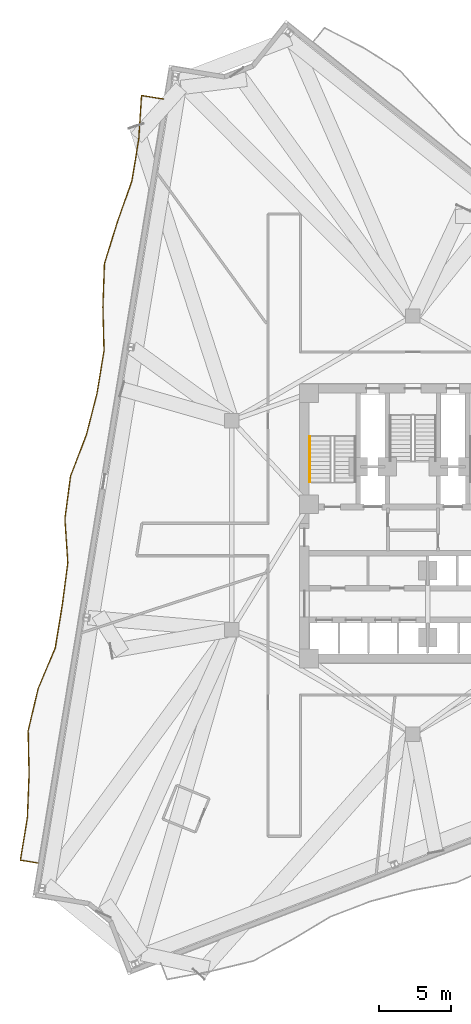
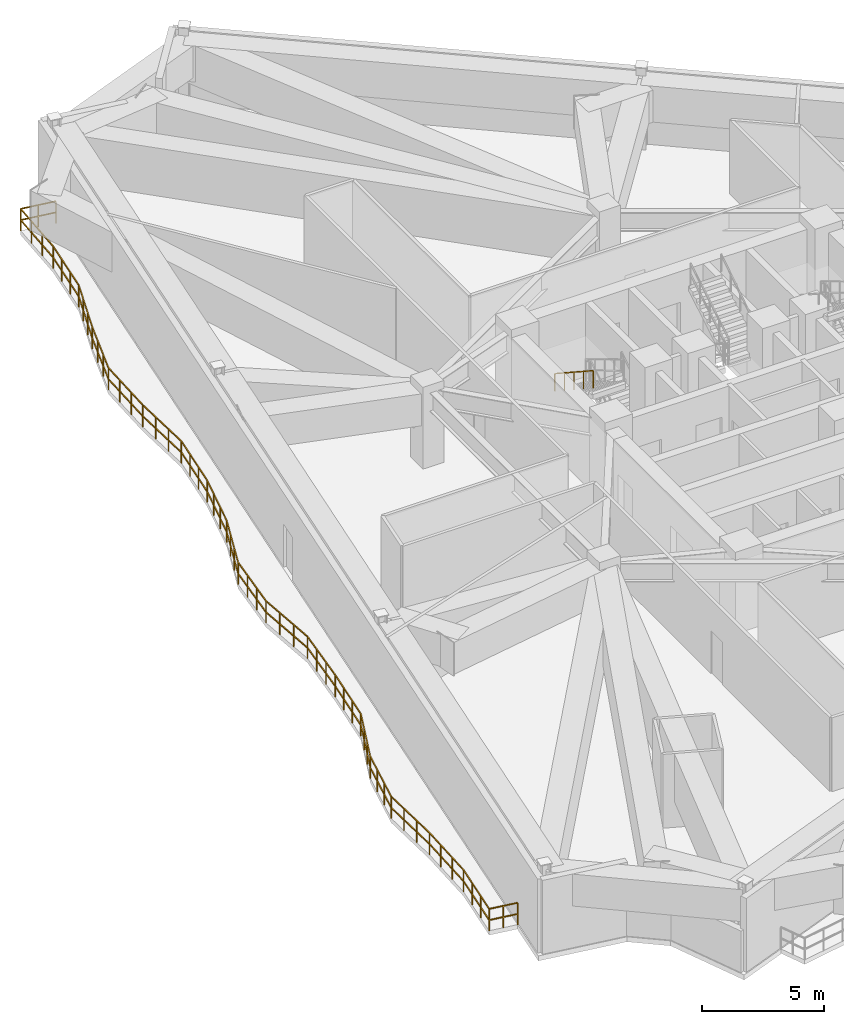
# One storey, part 12 of 14: 2 railings.
"""IFC4 building model written with IfcOpenShell, lengths in metres."""

from ifc_helpers import new_model, si_unit, direction, frame, origin, origin_2d, place, context, subcontext, project, spatial, rectangle, extrude, material, type_object, element, save


model = new_model("IFC4")

# Units and contexts
model_context = context("Model", 3, precision=1e-05, world=origin(), true_north=direction((0.0, 1.0)))
body_context = subcontext(model_context, "Body", "Model", "MODEL_VIEW")
ifc_project = project(units=[si_unit("LENGTHUNIT", "METRE"), si_unit("AREAUNIT", "SQUARE_METRE"), si_unit("VOLUMEUNIT", "CUBIC_METRE"), si_unit("PLANEANGLEUNIT", "RADIAN"), si_unit("MASSUNIT", "GRAM", prefix="KILO")], contexts=[model_context])

# Site, building, storey
site_placement = place(None, origin())
site = spatial("IfcSite", under=ifc_project, at=site_placement, CompositionType="ELEMENT")
building_placement = place(site_placement, origin())
building = spatial("IfcBuilding", under=site, at=building_placement, Name="Apsidion Concourse Tower", CompositionType="ELEMENT")
storey_placement = place(building_placement, frame((0.0, 0.0, 156.800048828125)))
storey = spatial("IfcBuildingStorey", under=building, at=storey_placement, Name="L36", CompositionType="ELEMENT", Elevation=156.800048828125)

# Railings
ifc_material = material(Name="Brushed stainless steel 316", Category="steel")
railing_type_1 = type_object("IfcRailingType", Name="RL-BAL-1120", PredefinedType="BALUSTRADE", material=ifc_material)
railing_1_placement = place(storey_placement, frame((-25.99072265625, -23.43701171875, 0.0)))
element("IfcRailing", 1, at=railing_1_placement, inside=storey, type_object=railing_type_1, Name="L36 Face 1 Rippling Balcony Balustrade", PredefinedType="BALUSTRADE", context=body_context, shape_type="SweptSolid", body=[
    extrude(rectangle(XDim=0.048095703125, YDim=0.048095703125, at=origin_2d()), frame((0.0, 0.0, 1.09619140625), z_axis=(-0.986776507438, 0.162086780363, 0.0), x_axis=(-0.162086780363, -0.986776507438, 0.0)), (0.0, 0.0, 1.0), 1.250244140625),
    extrude(rectangle(XDim=0.048095703125, YDim=0.048095703125, at=origin_2d()), frame((0.0, 0.0, 0.5361328125), z_axis=(-0.986776507438, 0.162086780363, 0.0), x_axis=(-0.162086780363, -0.986776507438, 0.0)), (0.0, 0.0, 1.0), 1.250244140625),
    extrude(rectangle(XDim=0.048095703125, YDim=0.048095703125, at=origin_2d()), frame((-1.233642578125, 0.20263671875, 1.09619140625), z_axis=(0.161982788773, 0.98679358335, 0.0), x_axis=(-0.98679358335, 0.161982788773, 0.0)), (0.0, 0.0, 1.0), 2.982666015625),
    extrude(rectangle(XDim=0.048095703125, YDim=0.048095703125, at=origin_2d()), frame((-1.233642578125, 0.20263671875, 0.5361328125), z_axis=(0.161982788773, 0.98679358335, 0.0), x_axis=(-0.98679358335, 0.161982788773, 0.0)), (0.0, 0.0, 1.0), 2.982666015625),
    extrude(rectangle(XDim=0.048095703125, YDim=0.048095703125, at=origin_2d()), frame((-0.75048828125, 3.14599609375, 1.09619140625), z_axis=(0.039474979011, 0.999220559252, 0.0), x_axis=(-0.999220559252, 0.039474979011, 0.0)), (0.0, 0.0, 1.0), 3.005859375),
    extrude(rectangle(XDim=0.048095703125, YDim=0.048095703125, at=origin_2d()), frame((-0.75048828125, 3.14599609375, 0.5361328125), z_axis=(0.039474979011, 0.999220559252, 0.0), x_axis=(-0.999220559252, 0.039474979011, 0.0)), (0.0, 0.0, 1.0), 3.005859375),
    extrude(rectangle(XDim=0.048095703125, YDim=0.048095703125, at=origin_2d()), frame((-0.6318359375, 6.1494140625, 1.09619140625), z_axis=(-0.020600907226, 0.999787778792, 0.0), x_axis=(-0.999787778792, -0.020600907226, 0.0)), (0.0, 0.0, 1.0), 3.033935546875),
    extrude(rectangle(XDim=0.048095703125, YDim=0.048095703125, at=origin_2d()), frame((-0.6318359375, 6.1494140625, 0.5361328125), z_axis=(-0.020600907226, 0.999787778792, 0.0), x_axis=(-0.999787778792, -0.020600907226, 0.0)), (0.0, 0.0, 1.0), 3.033935546875),
    extrude(rectangle(XDim=0.048095703125, YDim=0.048095703125, at=origin_2d()), frame((-0.6943359375, 9.1826171875, 1.09619140625), z_axis=(0.230240554011, 0.973133745838, 0.0), x_axis=(-0.973133745838, 0.230240554011, 0.0)), (0.0, 0.0, 1.0), 2.990234375),
    extrude(rectangle(XDim=0.048095703125, YDim=0.048095703125, at=origin_2d()), frame((-0.6943359375, 9.1826171875, 0.5361328125), z_axis=(0.230240554011, 0.973133745838, 0.0), x_axis=(-0.973133745838, 0.230240554011, 0.0)), (0.0, 0.0, 1.0), 2.990234375),
    extrude(rectangle(XDim=0.048095703125, YDim=0.048095703125, at=origin_2d()), frame((-0.005859375, 12.092529296875, 1.09619140625), z_axis=(0.387377267238, 0.921921283422, 0.0), x_axis=(-0.921921283422, 0.387377267238, 0.0)), (0.0, 0.0, 1.0), 3.0673828125),
    extrude(rectangle(XDim=0.048095703125, YDim=0.048095703125, at=origin_2d()), frame((-0.005859375, 12.092529296875, 0.5361328125), z_axis=(0.387377267238, 0.921921283422, 0.0), x_axis=(-0.921921283422, 0.387377267238, 0.0)), (0.0, 0.0, 1.0), 3.0673828125),
    extrude(rectangle(XDim=0.048095703125, YDim=0.048095703125, at=origin_2d()), frame((1.182373046875, 14.92041015625, 1.09619140625), z_axis=(0.161969706487, 0.986795730727, 0.0), x_axis=(-0.986795730727, 0.161969706487, 0.0)), (0.0, 0.0, 1.0), 2.98291015625),
    extrude(rectangle(XDim=0.048095703125, YDim=0.048095703125, at=origin_2d()), frame((1.182373046875, 14.92041015625, 0.5361328125), z_axis=(0.161969706487, 0.986795730727, 0.0), x_axis=(-0.986795730727, 0.161969706487, 0.0)), (0.0, 0.0, 1.0), 2.98291015625),
    extrude(rectangle(XDim=0.048095703125, YDim=0.048095703125, at=origin_2d()), frame((1.66552734375, 17.864013671875, 1.09619140625), z_axis=(0.130073589494, 0.99150434256, 0.0), x_axis=(-0.99150434256, 0.130073589494, 0.0)), (0.0, 0.0, 1.0), 2.984375),
    extrude(rectangle(XDim=0.048095703125, YDim=0.048095703125, at=origin_2d()), frame((1.66552734375, 17.864013671875, 0.5361328125), z_axis=(0.130073589494, 0.99150434256, 0.0), x_axis=(-0.99150434256, 0.130073589494, 0.0)), (0.0, 0.0, 1.0), 2.984375),
    extrude(rectangle(XDim=0.048095703125, YDim=0.048095703125, at=origin_2d()), frame((2.0537109375, 20.822998046875, 1.09619140625), z_axis=(-0.065529537257, 0.997850629978, 0.0), x_axis=(-0.997850629978, -0.065529537257, 0.0)), (0.0, 0.0, 1.0), 3.0625),
    extrude(rectangle(XDim=0.048095703125, YDim=0.048095703125, at=origin_2d()), frame((2.0537109375, 20.822998046875, 0.5361328125), z_axis=(-0.065529537257, 0.997850629978, 0.0), x_axis=(-0.997850629978, -0.065529537257, 0.0)), (0.0, 0.0, 1.0), 3.0625),
    extrude(rectangle(XDim=0.048095703125, YDim=0.048095703125, at=origin_2d()), frame((1.85302734375, 23.87890625, 1.09619140625), z_axis=(0.13039526166, 0.991462089914, 0.0), x_axis=(-0.991462089914, 0.13039526166, 0.0)), (0.0, 0.0, 1.0), 2.984375),
    extrude(rectangle(XDim=0.048095703125, YDim=0.048095703125, at=origin_2d()), frame((1.85302734375, 23.87890625, 0.5361328125), z_axis=(0.13039526166, 0.991462089914, 0.0), x_axis=(-0.991462089914, 0.13039526166, 0.0)), (0.0, 0.0, 1.0), 2.984375),
    extrude(rectangle(XDim=0.048095703125, YDim=0.048095703125, at=origin_2d()), frame((2.2421875, 26.837890625, 1.09619140625), z_axis=(0.35917239091, 0.933271232605, 0.0), x_axis=(-0.933271232605, 0.35917239091, 0.0)), (0.0, 0.0, 1.0), 3.046630859375),
    extrude(rectangle(XDim=0.048095703125, YDim=0.048095703125, at=origin_2d()), frame((2.2421875, 26.837890625, 0.5361328125), z_axis=(0.35917239091, 0.933271232605, 0.0), x_axis=(-0.933271232605, 0.35917239091, 0.0)), (0.0, 0.0, 1.0), 3.046630859375),
    extrude(rectangle(XDim=0.048095703125, YDim=0.048095703125, at=origin_2d()), frame((3.33642578125, 29.68115234375, 1.09619140625), z_axis=(0.24872642062, 0.968573780197, 0.0), x_axis=(-0.968573780197, 0.24872642062, 0.0)), (0.0, 0.0, 1.0), 2.99462890625),
    extrude(rectangle(XDim=0.048095703125, YDim=0.048095703125, at=origin_2d()), frame((3.33642578125, 29.68115234375, 0.5361328125), z_axis=(0.24872642062, 0.968573780197, 0.0), x_axis=(-0.968573780197, 0.24872642062, 0.0)), (0.0, 0.0, 1.0), 2.99462890625),
    extrude(rectangle(XDim=0.048095703125, YDim=0.048095703125, at=origin_2d()), frame((4.081298828125, 32.581787109375, 1.09619140625), z_axis=(0.161969706487, 0.986795730727, 0.0), x_axis=(-0.986795730727, 0.161969706487, 0.0)), (0.0, 0.0, 1.0), 2.98291015625),
    extrude(rectangle(XDim=0.048095703125, YDim=0.048095703125, at=origin_2d()), frame((4.081298828125, 32.581787109375, 0.5361328125), z_axis=(0.161969706487, 0.986795730727, 0.0), x_axis=(-0.986795730727, 0.161969706487, 0.0)), (0.0, 0.0, 1.0), 2.98291015625),
    extrude(rectangle(XDim=0.048095703125, YDim=0.048095703125, at=origin_2d()), frame((4.564453125, 35.525390625, 1.09619140625), z_axis=(-0.025727366808, 0.999668996517, 0.0), x_axis=(-0.999668996517, -0.025727366808, 0.0)), (0.0, 0.0, 1.0), 3.03662109375),
    extrude(rectangle(XDim=0.048095703125, YDim=0.048095703125, at=origin_2d()), frame((4.564453125, 35.525390625, 0.5361328125), z_axis=(-0.025727366808, 0.999668996517, 0.0), x_axis=(-0.999668996517, -0.025727366808, 0.0)), (0.0, 0.0, 1.0), 3.03662109375),
    extrude(rectangle(XDim=0.048095703125, YDim=0.048095703125, at=origin_2d()), frame((4.486328125, 38.56103515625, 1.09619140625), z_axis=(0.035639407772, 0.999364714513, 0.0), x_axis=(-0.999364714513, 0.035639407772, 0.0)), (0.0, 0.0, 1.0), 3.00732421875),
    extrude(rectangle(XDim=0.048095703125, YDim=0.048095703125, at=origin_2d()), frame((4.486328125, 38.56103515625, 0.5361328125), z_axis=(0.035639407772, 0.999364714513, 0.0), x_axis=(-0.999364714513, 0.035639407772, 0.0)), (0.0, 0.0, 1.0), 3.00732421875),
    extrude(rectangle(XDim=0.048095703125, YDim=0.048095703125, at=origin_2d()), frame((4.593505859375, 41.56640625, 1.09619140625), z_axis=(0.295845791638, 0.955235713094, 0.0), x_axis=(-0.955235713094, 0.295845791638, 0.0)), (0.0, 0.0, 1.0), 3.01123046875),
    extrude(rectangle(XDim=0.048095703125, YDim=0.048095703125, at=origin_2d()), frame((4.593505859375, 41.56640625, 0.5361328125), z_axis=(0.295845791638, 0.955235713094, 0.0), x_axis=(-0.955235713094, 0.295845791638, 0.0)), (0.0, 0.0, 1.0), 3.01123046875),
    extrude(rectangle(XDim=0.048095703125, YDim=0.048095703125, at=origin_2d()), frame((5.484375, 44.44287109375, 1.09619140625), z_axis=(0.33412596554, 0.94252842883, 0.0), x_axis=(-0.94252842883, 0.33412596554, 0.0)), (0.0, 0.0, 1.0), 3.03076171875),
    extrude(rectangle(XDim=0.048095703125, YDim=0.048095703125, at=origin_2d()), frame((5.484375, 44.44287109375, 0.5361328125), z_axis=(0.33412596554, 0.94252842883, 0.0), x_axis=(-0.94252842883, 0.33412596554, 0.0)), (0.0, 0.0, 1.0), 3.03076171875),
    extrude(rectangle(XDim=0.048095703125, YDim=0.048095703125, at=origin_2d()), frame((6.4970703125, 47.299560546875, 1.09619140625), z_axis=(0.161969706487, 0.986795730727, 0.0), x_axis=(-0.986795730727, 0.161969706487, 0.0)), (0.0, 0.0, 1.0), 2.98291015625),
    extrude(rectangle(XDim=0.048095703125, YDim=0.048095703125, at=origin_2d()), frame((6.4970703125, 47.299560546875, 0.5361328125), z_axis=(0.161969706487, 0.986795730727, 0.0), x_axis=(-0.986795730727, 0.161969706487, 0.0)), (0.0, 0.0, 1.0), 2.98291015625),
    extrude(rectangle(XDim=0.048095703125, YDim=0.048095703125, at=origin_2d()), frame((6.980224609375, 50.2431640625, 1.09619140625), z_axis=(0.062459402468, 0.998047505404, 0.0), x_axis=(-0.998047505404, 0.062459402468, 0.0)), (0.0, 0.0, 1.0), 2.998046875),
    extrude(rectangle(XDim=0.048095703125, YDim=0.048095703125, at=origin_2d()), frame((6.980224609375, 50.2431640625, 0.5361328125), z_axis=(0.062459402468, 0.998047505404, 0.0), x_axis=(-0.998047505404, 0.062459402468, 0.0)), (0.0, 0.0, 1.0), 2.998046875),
    extrude(rectangle(XDim=0.048095703125, YDim=0.048095703125, at=origin_2d()), frame((7.16748046875, 53.2353515625, 1.09619140625), z_axis=(0.986778566403, -0.162074244985, 0.0), x_axis=(0.162074244985, 0.986778566403, 0.0)), (0.0, 0.0, 1.0), 1.550048828125),
    extrude(rectangle(XDim=0.048095703125, YDim=0.048095703125, at=origin_2d()), frame((7.16748046875, 53.2353515625, 0.5361328125), z_axis=(0.986778566403, -0.162074244985, 0.0), x_axis=(0.162074244985, 0.986778566403, 0.0)), (0.0, 0.0, 1.0), 1.550048828125),
    extrude(rectangle(XDim=0.0419921875, YDim=0.0419921875, at=origin_2d()), origin(), (0.0, 0.0, 1.0), 1.072021484375),
    extrude(rectangle(XDim=0.0419921875, YDim=0.0419921875, at=origin_2d()), frame((-0.61669921875, 0.101318359375, 0.0)), (0.0, 0.0, 1.0), 1.072021484375),
    extrude(rectangle(XDim=0.0419921875, YDim=0.0419921875, at=origin_2d()), frame((-1.233642578125, 0.20263671875, 0.0)), (0.0, 0.0, 1.0), 1.072021484375),
    extrude(rectangle(XDim=0.0419921875, YDim=0.0419921875, at=origin_2d()), frame((-1.072509765625, 1.183837890625, 0.0)), (0.0, 0.0, 1.0), 1.072021484375),
    extrude(rectangle(XDim=0.0419921875, YDim=0.0419921875, at=origin_2d()), frame((-0.91162109375, 2.164794921875, 0.0)), (0.0, 0.0, 1.0), 1.072021484375),
    extrude(rectangle(XDim=0.0419921875, YDim=0.0419921875, at=origin_2d()), frame((-0.75048828125, 3.14599609375, 0.0)), (0.0, 0.0, 1.0), 1.072021484375),
    extrude(rectangle(XDim=0.0419921875, YDim=0.0419921875, at=origin_2d()), frame((-0.7109375, 4.147216796875, 0.0)), (0.0, 0.0, 1.0), 1.072021484375),
    extrude(rectangle(XDim=0.0419921875, YDim=0.0419921875, at=origin_2d()), frame((-0.67138671875, 5.148193359375, 0.0)), (0.0, 0.0, 1.0), 1.072021484375),
    extrude(rectangle(XDim=0.0419921875, YDim=0.0419921875, at=origin_2d()), frame((-0.6318359375, 6.1494140625, 0.0)), (0.0, 0.0, 1.0), 1.072021484375),
    extrude(rectangle(XDim=0.0419921875, YDim=0.0419921875, at=origin_2d()), frame((-0.652587890625, 7.160400390625, 0.0)), (0.0, 0.0, 1.0), 1.072021484375),
    extrude(rectangle(XDim=0.0419921875, YDim=0.0419921875, at=origin_2d()), frame((-0.673583984375, 8.171630859375, 0.0)), (0.0, 0.0, 1.0), 1.072021484375),
    extrude(rectangle(XDim=0.0419921875, YDim=0.0419921875, at=origin_2d()), frame((-0.6943359375, 9.1826171875, 0.0)), (0.0, 0.0, 1.0), 1.072021484375),
    extrude(rectangle(XDim=0.0419921875, YDim=0.0419921875, at=origin_2d()), frame((-0.46484375, 10.152587890625, 0.0)), (0.0, 0.0, 1.0), 1.072021484375),
    extrude(rectangle(XDim=0.0419921875, YDim=0.0419921875, at=origin_2d()), frame((-0.2353515625, 11.12255859375, 0.0)), (0.0, 0.0, 1.0), 1.072021484375),
    extrude(rectangle(XDim=0.0419921875, YDim=0.0419921875, at=origin_2d()), frame((-0.005859375, 12.092529296875, 0.0)), (0.0, 0.0, 1.0), 1.072021484375),
    extrude(rectangle(XDim=0.0419921875, YDim=0.0419921875, at=origin_2d()), frame((0.39013671875, 13.03515625, 0.0)), (0.0, 0.0, 1.0), 1.072021484375),
    extrude(rectangle(XDim=0.0419921875, YDim=0.0419921875, at=origin_2d()), frame((0.786376953125, 13.977783203125, 0.0)), (0.0, 0.0, 1.0), 1.072021484375),
    extrude(rectangle(XDim=0.0419921875, YDim=0.0419921875, at=origin_2d()), frame((1.182373046875, 14.92041015625, 0.0)), (0.0, 0.0, 1.0), 1.072021484375),
    extrude(rectangle(XDim=0.0419921875, YDim=0.0419921875, at=origin_2d()), frame((1.343505859375, 15.901611328125, 0.0)), (0.0, 0.0, 1.0), 1.072021484375),
    extrude(rectangle(XDim=0.0419921875, YDim=0.0419921875, at=origin_2d()), frame((1.50439453125, 16.8828125, 0.0)), (0.0, 0.0, 1.0), 1.072021484375),
    extrude(rectangle(XDim=0.0419921875, YDim=0.0419921875, at=origin_2d()), frame((1.66552734375, 17.864013671875, 0.0)), (0.0, 0.0, 1.0), 1.072021484375),
    extrude(rectangle(XDim=0.0419921875, YDim=0.0419921875, at=origin_2d()), frame((1.794921875, 18.850341796875, 0.0)), (0.0, 0.0, 1.0), 1.072021484375),
    extrude(rectangle(XDim=0.0419921875, YDim=0.0419921875, at=origin_2d()), frame((1.92431640625, 19.836669921875, 0.0)), (0.0, 0.0, 1.0), 1.072021484375),
    extrude(rectangle(XDim=0.0419921875, YDim=0.0419921875, at=origin_2d()), frame((2.0537109375, 20.822998046875, 0.0)), (0.0, 0.0, 1.0), 1.072021484375),
    extrude(rectangle(XDim=0.0419921875, YDim=0.0419921875, at=origin_2d()), frame((1.98681640625, 21.841552734375, 0.0)), (0.0, 0.0, 1.0), 1.072021484375),
    extrude(rectangle(XDim=0.0419921875, YDim=0.0419921875, at=origin_2d()), frame((1.919921875, 22.8603515625, 0.0)), (0.0, 0.0, 1.0), 1.072021484375),
    extrude(rectangle(XDim=0.0419921875, YDim=0.0419921875, at=origin_2d()), frame((1.85302734375, 23.87890625, 0.0)), (0.0, 0.0, 1.0), 1.072021484375),
    extrude(rectangle(XDim=0.0419921875, YDim=0.0419921875, at=origin_2d()), frame((1.982666015625, 24.865234375, 0.0)), (0.0, 0.0, 1.0), 1.072021484375),
    extrude(rectangle(XDim=0.0419921875, YDim=0.0419921875, at=origin_2d()), frame((2.112548828125, 25.8515625, 0.0)), (0.0, 0.0, 1.0), 1.072021484375),
    extrude(rectangle(XDim=0.0419921875, YDim=0.0419921875, at=origin_2d()), frame((2.2421875, 26.837890625, 0.0)), (0.0, 0.0, 1.0), 1.072021484375),
    extrude(rectangle(XDim=0.0419921875, YDim=0.0419921875, at=origin_2d()), frame((2.60693359375, 27.78564453125, 0.0)), (0.0, 0.0, 1.0), 1.072021484375),
    extrude(rectangle(XDim=0.0419921875, YDim=0.0419921875, at=origin_2d()), frame((2.9716796875, 28.7333984375, 0.0)), (0.0, 0.0, 1.0), 1.072021484375),
    extrude(rectangle(XDim=0.0419921875, YDim=0.0419921875, at=origin_2d()), frame((3.33642578125, 29.68115234375, 0.0)), (0.0, 0.0, 1.0), 1.072021484375),
    extrude(rectangle(XDim=0.0419921875, YDim=0.0419921875, at=origin_2d()), frame((3.584716796875, 30.64794921875, 0.0)), (0.0, 0.0, 1.0), 1.072021484375),
    extrude(rectangle(XDim=0.0419921875, YDim=0.0419921875, at=origin_2d()), frame((3.8330078125, 31.614990234375, 0.0)), (0.0, 0.0, 1.0), 1.072021484375),
    extrude(rectangle(XDim=0.0419921875, YDim=0.0419921875, at=origin_2d()), frame((4.081298828125, 32.581787109375, 0.0)), (0.0, 0.0, 1.0), 1.072021484375),
    extrude(rectangle(XDim=0.0419921875, YDim=0.0419921875, at=origin_2d()), frame((4.242431640625, 33.56298828125, 0.0)), (0.0, 0.0, 1.0), 1.072021484375),
    extrude(rectangle(XDim=0.0419921875, YDim=0.0419921875, at=origin_2d()), frame((4.4033203125, 34.544189453125, 0.0)), (0.0, 0.0, 1.0), 1.072021484375),
    extrude(rectangle(XDim=0.0419921875, YDim=0.0419921875, at=origin_2d()), frame((4.564453125, 35.525390625, 0.0)), (0.0, 0.0, 1.0), 1.072021484375),
    extrude(rectangle(XDim=0.0419921875, YDim=0.0419921875, at=origin_2d()), frame((4.538330078125, 36.537353515625, 0.0)), (0.0, 0.0, 1.0), 1.072021484375),
    extrude(rectangle(XDim=0.0419921875, YDim=0.0419921875, at=origin_2d()), frame((4.512451171875, 37.549072265625, 0.0)), (0.0, 0.0, 1.0), 1.072021484375),
    extrude(rectangle(XDim=0.0419921875, YDim=0.0419921875, at=origin_2d()), frame((4.486328125, 38.56103515625, 0.0)), (0.0, 0.0, 1.0), 1.072021484375),
    extrude(rectangle(XDim=0.0419921875, YDim=0.0419921875, at=origin_2d()), frame((4.52197265625, 39.562744140625, 0.0)), (0.0, 0.0, 1.0), 1.072021484375),
    extrude(rectangle(XDim=0.0419921875, YDim=0.0419921875, at=origin_2d()), frame((4.557861328125, 40.564697265625, 0.0)), (0.0, 0.0, 1.0), 1.072021484375),
    extrude(rectangle(XDim=0.0419921875, YDim=0.0419921875, at=origin_2d()), frame((4.593505859375, 41.56640625, 0.0)), (0.0, 0.0, 1.0), 1.072021484375),
    extrude(rectangle(XDim=0.0419921875, YDim=0.0419921875, at=origin_2d()), frame((4.890380859375, 42.525146484375, 0.0)), (0.0, 0.0, 1.0), 1.072021484375),
    extrude(rectangle(XDim=0.0419921875, YDim=0.0419921875, at=origin_2d()), frame((5.1875, 43.484130859375, 0.0)), (0.0, 0.0, 1.0), 1.072021484375),
    extrude(rectangle(XDim=0.0419921875, YDim=0.0419921875, at=origin_2d()), frame((5.484375, 44.44287109375, 0.0)), (0.0, 0.0, 1.0), 1.072021484375),
    extrude(rectangle(XDim=0.0419921875, YDim=0.0419921875, at=origin_2d()), frame((5.822021484375, 45.39501953125, 0.0)), (0.0, 0.0, 1.0), 1.072021484375),
    extrude(rectangle(XDim=0.0419921875, YDim=0.0419921875, at=origin_2d()), frame((6.159423828125, 46.347412109375, 0.0)), (0.0, 0.0, 1.0), 1.072021484375),
    extrude(rectangle(XDim=0.0419921875, YDim=0.0419921875, at=origin_2d()), frame((6.4970703125, 47.299560546875, 0.0)), (0.0, 0.0, 1.0), 1.072021484375),
    extrude(rectangle(XDim=0.0419921875, YDim=0.0419921875, at=origin_2d()), frame((6.658203125, 48.28076171875, 0.0)), (0.0, 0.0, 1.0), 1.072021484375),
    extrude(rectangle(XDim=0.0419921875, YDim=0.0419921875, at=origin_2d()), frame((6.819091796875, 49.261962890625, 0.0)), (0.0, 0.0, 1.0), 1.072021484375),
    extrude(rectangle(XDim=0.0419921875, YDim=0.0419921875, at=origin_2d()), frame((6.980224609375, 50.2431640625, 0.0)), (0.0, 0.0, 1.0), 1.072021484375),
    extrude(rectangle(XDim=0.0419921875, YDim=0.0419921875, at=origin_2d()), frame((7.042724609375, 51.240478515625, 0.0)), (0.0, 0.0, 1.0), 1.072021484375),
    extrude(rectangle(XDim=0.0419921875, YDim=0.0419921875, at=origin_2d()), frame((7.10498046875, 52.238037109375, 0.0)), (0.0, 0.0, 1.0), 1.072021484375),
    extrude(rectangle(XDim=0.0419921875, YDim=0.0419921875, at=origin_2d()), frame((7.16748046875, 53.2353515625, 0.0)), (0.0, 0.0, 1.0), 1.072021484375),
    extrude(rectangle(XDim=0.0419921875, YDim=0.0419921875, at=origin_2d()), frame((7.93212890625, 53.10986328125, 0.0)), (0.0, 0.0, 1.0), 1.072021484375),
    extrude(rectangle(XDim=0.0419921875, YDim=0.0419921875, at=origin_2d()), frame((8.697021484375, 52.984130859375, 0.0)), (0.0, 0.0, 1.0), 1.072021484375),
])
railing_type_2 = type_object("IfcRailingType", Name="RL-HAND-900", PredefinedType="HANDRAIL", material=ifc_material)
railing_2_placement = place(storey_placement, frame((-7.14990234375, 6.135009765625, 2.220703125)))
element("IfcRailing", 2, at=railing_2_placement, inside=storey, type_object=railing_type_2, Name="L36 ST1 stair handrail 2", PredefinedType="HANDRAIL", context=body_context, shape_type="SweptSolid", body=[
    extrude(rectangle(XDim=0.048095703125, YDim=0.048095703125, at=origin_2d()), frame((0.0, 0.0, 0.8759765625), z_axis=(0.0, -0.836940907821, 0.547293263996), x_axis=(1.0, 0.0, 0.0)), (0.0, 0.0, 1.0), 3.745849609375),
    extrude(rectangle(XDim=0.0419921875, YDim=0.0419921875, at=origin_2d()), origin(), (0.0, 0.0, 1.0), 0.851806640625),
    extrude(rectangle(XDim=0.0419921875, YDim=0.0419921875, at=origin_2d()), frame((0.0, -0.78369140625, 0.512451171875)), (0.0, 0.0, 1.0), 0.851806640625),
    extrude(rectangle(XDim=0.0419921875, YDim=0.0419921875, at=origin_2d()), frame((0.0, -1.5673828125, 1.02490234375)), (0.0, 0.0, 1.0), 0.851806640625),
    extrude(rectangle(XDim=0.0419921875, YDim=0.0419921875, at=origin_2d()), frame((0.0, -2.351318359375, 1.53759765625)), (0.0, 0.0, 1.0), 0.851806640625),
    extrude(rectangle(XDim=0.0419921875, YDim=0.0419921875, at=origin_2d()), frame((0.0, -3.135009765625, 2.050048828125)), (0.0, 0.0, 1.0), 0.851806640625),
])

save(model, "model.ifc")
